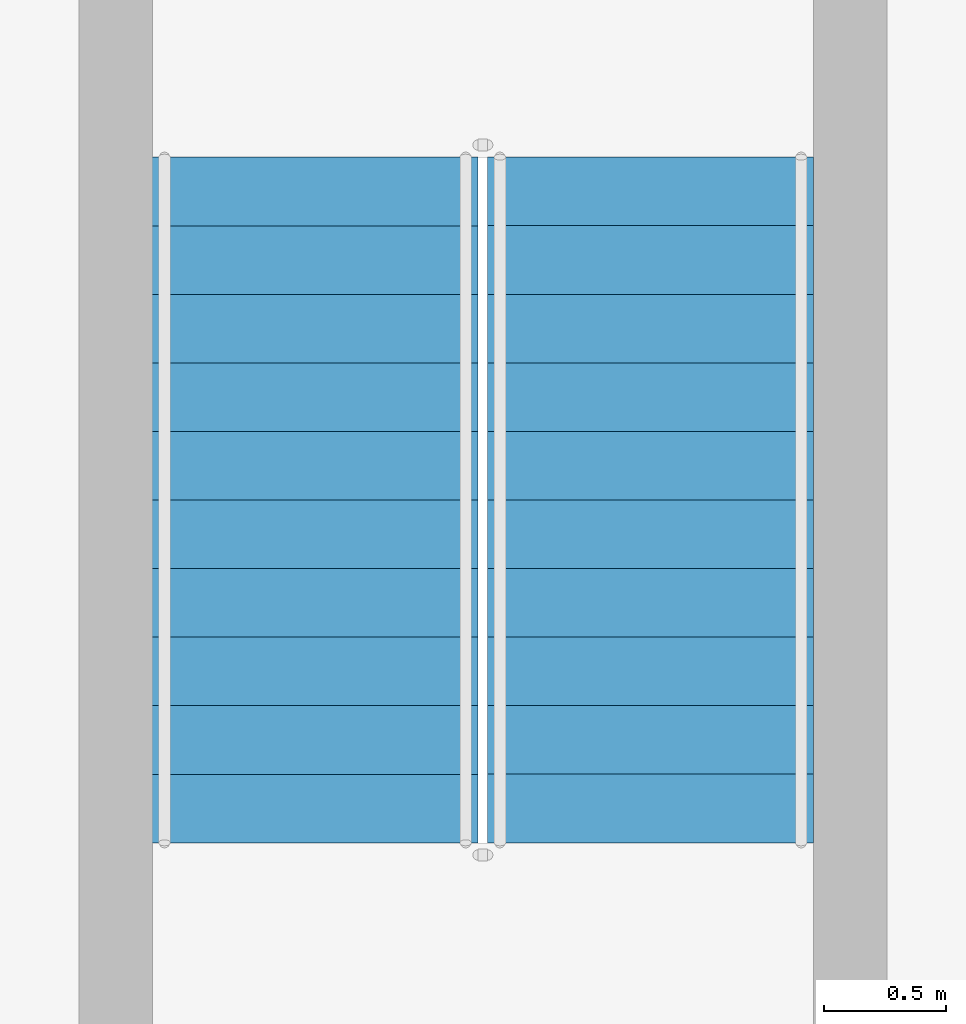
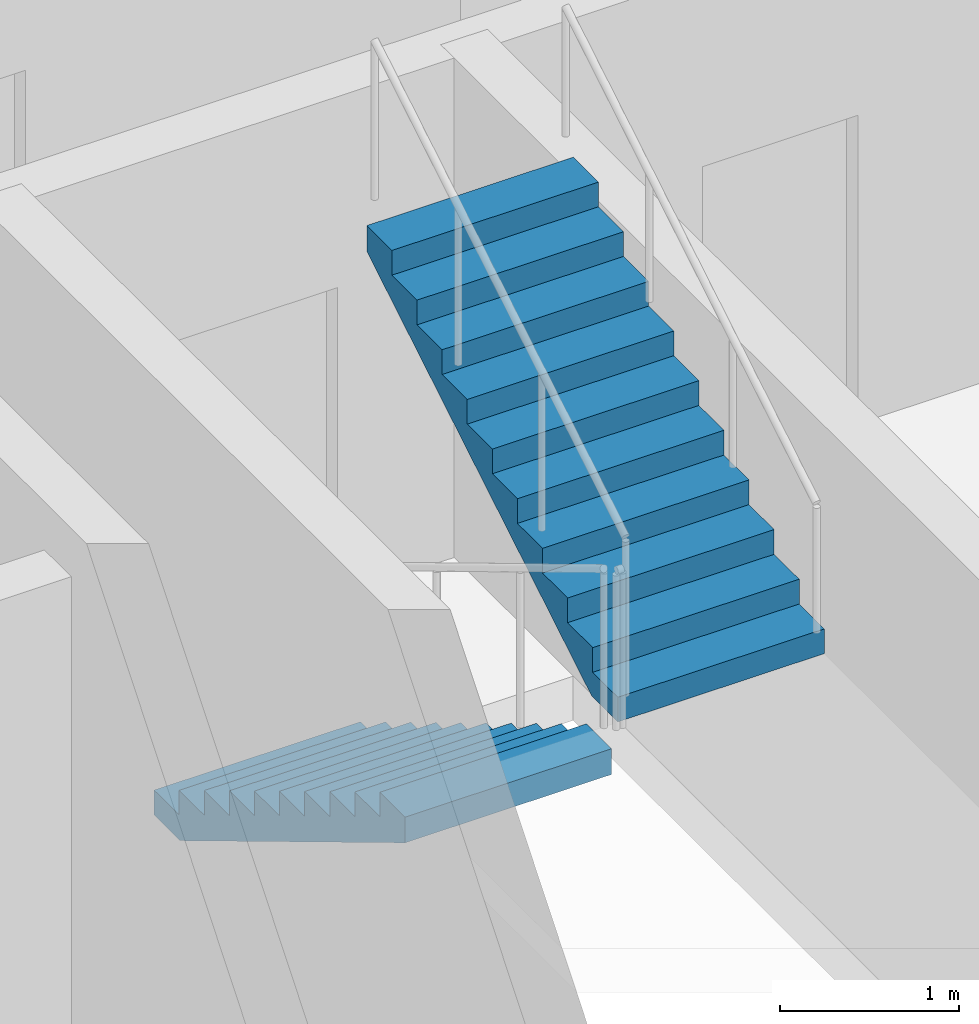
# One storey, part 15 of 25: 2 stair flights, 1 element without a shape of its own.
"""IFC4 building model written with IfcOpenShell, lengths in metres."""

from ifc_helpers import new_model, si_unit, direction, frame, origin, place, context, subcontext, project, spatial, triangles, source, transform, mapped, material, type_object, element, aggregate, save


model = new_model("IFC4")

# Units and contexts
model_context = context("Model", 3, precision=1e-05, world=origin(), true_north=direction((0.0, 1.0)))
body_context = subcontext(model_context, "Body", "Model", "MODEL_VIEW")
ifc_project = project(units=[si_unit("LENGTHUNIT", "METRE"), si_unit("AREAUNIT", "SQUARE_METRE"), si_unit("VOLUMEUNIT", "CUBIC_METRE"), si_unit("PLANEANGLEUNIT", "RADIAN"), si_unit("MASSUNIT", "GRAM", prefix="KILO")], contexts=[model_context])

# Site, building, storey
site_placement = place(None, origin())
site = spatial("IfcSite", under=ifc_project, at=site_placement, CompositionType="ELEMENT")
building_placement = place(site_placement, origin())
building = spatial("IfcBuilding", under=site, at=building_placement, Name="Ogive Portal Towers", CompositionType="ELEMENT")
storey_placement = place(building_placement, frame((0.0, 0.0, 105.60009765625)))
storey = spatial("IfcBuildingStorey", under=building, at=storey_placement, Name="L25", CompositionType="ELEMENT", Elevation=105.60009765625)

# Stair, stair flights
ifc_material = material(Name="Concrete C40/50", Category="concrete")
stair_type = type_object("IfcStairType", Name="INT-STAIR", PredefinedType="HALF_TURN_STAIR", material=ifc_material)
stair_placement = place(storey_placement, origin())
stair = element("IfcStair", 1, at=stair_placement, inside=storey, type_object=stair_type, Name="L25 Exit Stair ST-A4", PredefinedType="HALF_TURN_STAIR")
stair_flight_type = type_object("IfcStairFlightType", Name="INT-FLIGHT", PredefinedType="STRAIGHT", material=ifc_material)
shared_shape = source(origin(), body_context, "Body", "Tessellation", [
    triangles([(0.0, -0.6650390625, 0.0), (0.0, -0.384765625, 0.0), (0.0, -0.197021484375, 0.0), (0.0, -0.0830078125, 0.0), (0.0, -0.024658203125, 0.0), (0.0, -0.003173828125, 0.0), (0.0, 0.0, 0.0), (0.0, 0.003173828125, 0.0), (0.0, 0.024658203125, 0.0), (0.0, 0.0830078125, 0.0), (0.0, 0.197021484375, 0.0), (0.0, 0.384765625, 0.0), (0.0, 0.6650390625, 0.0), (0.0, -0.6650390625, 0.168212890625), (0.0, -0.384765625, 0.168212890625), (0.0, -0.197021484375, 0.168212890625), (0.0, -0.0830078125, 0.168212890625), (0.0, -0.024658203125, 0.168212890625), (0.0, -0.003173828125, 0.168212890625), (0.0, 0.0, 0.168212890625), (0.0, 0.003173828125, 0.168212890625), (0.0, 0.024658203125, 0.168212890625), (0.0, 0.0830078125, 0.168212890625), (0.0, 0.197021484375, 0.168212890625), (0.0, 0.384765625, 0.168212890625), (0.0, 0.6650390625, 0.168212890625), (0.280029296875, -0.6650390625, 0.168212890625), (0.280029296875, -0.384765625, 0.168212890625), (0.280029296875, -0.197021484375, 0.168212890625), (0.280029296875, -0.0830078125, 0.168212890625), (0.280029296875, -0.024658203125, 0.168212890625), (0.280029296875, -0.003173828125, 0.168212890625), (0.280029296875, 0.0, 0.168212890625), (0.280029296875, 0.003173828125, 0.168212890625), (0.280029296875, 0.024658203125, 0.168212890625), (0.280029296875, 0.0830078125, 0.168212890625), (0.280029296875, 0.197021484375, 0.168212890625), (0.280029296875, 0.384765625, 0.168212890625), (0.280029296875, 0.6650390625, 0.168212890625), (0.280029296875, -0.6650390625, 0.33642578125), (0.280029296875, -0.384765625, 0.33642578125), (0.280029296875, -0.197021484375, 0.33642578125), (0.280029296875, -0.0830078125, 0.33642578125), (0.280029296875, -0.024658203125, 0.33642578125), (0.280029296875, -0.003173828125, 0.33642578125), (0.280029296875, 0.0, 0.33642578125), (0.280029296875, 0.003173828125, 0.33642578125), (0.280029296875, 0.024658203125, 0.33642578125), (0.280029296875, 0.0830078125, 0.33642578125), (0.280029296875, 0.197021484375, 0.33642578125), (0.280029296875, 0.384765625, 0.33642578125), (0.280029296875, 0.6650390625, 0.33642578125), (0.56005859375, -0.6650390625, 0.33642578125), (0.56005859375, -0.384765625, 0.33642578125), (0.56005859375, -0.197021484375, 0.33642578125), (0.56005859375, -0.0830078125, 0.33642578125), (0.56005859375, -0.024658203125, 0.33642578125), (0.56005859375, -0.003173828125, 0.33642578125), (0.56005859375, 0.0, 0.33642578125), (0.56005859375, 0.003173828125, 0.33642578125), (0.56005859375, 0.024658203125, 0.33642578125), (0.56005859375, 0.0830078125, 0.33642578125), (0.56005859375, 0.197021484375, 0.33642578125), (0.56005859375, 0.384765625, 0.33642578125), (0.56005859375, 0.6650390625, 0.33642578125), (0.56005859375, -0.6650390625, 0.504638671875), (0.56005859375, -0.384765625, 0.504638671875), (0.56005859375, -0.197021484375, 0.504638671875), (0.56005859375, -0.0830078125, 0.504638671875), (0.56005859375, -0.024658203125, 0.504638671875), (0.56005859375, -0.003173828125, 0.504638671875), (0.56005859375, 0.0, 0.504638671875), (0.56005859375, 0.003173828125, 0.504638671875), (0.56005859375, 0.024658203125, 0.504638671875), (0.56005859375, 0.0830078125, 0.504638671875), (0.56005859375, 0.197021484375, 0.504638671875), (0.56005859375, 0.384765625, 0.504638671875), (0.56005859375, 0.6650390625, 0.504638671875), (0.840087890625, -0.6650390625, 0.504638671875), (0.840087890625, -0.384765625, 0.504638671875), (0.840087890625, -0.197021484375, 0.504638671875), (0.840087890625, -0.0830078125, 0.504638671875), (0.840087890625, -0.024658203125, 0.504638671875), (0.840087890625, -0.003173828125, 0.504638671875), (0.840087890625, 0.0, 0.504638671875), (0.840087890625, 0.003173828125, 0.504638671875), (0.840087890625, 0.024658203125, 0.504638671875), (0.840087890625, 0.0830078125, 0.504638671875), (0.840087890625, 0.197021484375, 0.504638671875), (0.840087890625, 0.384765625, 0.504638671875), (0.840087890625, 0.6650390625, 0.504638671875), (0.840087890625, -0.6650390625, 0.672607421875), (0.840087890625, -0.384765625, 0.672607421875), (0.840087890625, -0.197021484375, 0.672607421875), (0.840087890625, -0.0830078125, 0.672607421875), (0.840087890625, -0.024658203125, 0.672607421875), (0.840087890625, -0.003173828125, 0.672607421875), (0.840087890625, 0.0, 0.672607421875), (0.840087890625, 0.003173828125, 0.672607421875), (0.840087890625, 0.024658203125, 0.672607421875), (0.840087890625, 0.0830078125, 0.672607421875), (0.840087890625, 0.197021484375, 0.672607421875), (0.840087890625, 0.384765625, 0.672607421875), (0.840087890625, 0.6650390625, 0.672607421875), (1.1201171875, -0.6650390625, 0.672607421875), (1.1201171875, -0.384765625, 0.672607421875), (1.1201171875, -0.197021484375, 0.672607421875), (1.1201171875, -0.0830078125, 0.672607421875), (1.1201171875, -0.024658203125, 0.672607421875), (1.1201171875, -0.003173828125, 0.672607421875), (1.1201171875, 0.0, 0.672607421875), (1.1201171875, 0.003173828125, 0.672607421875), (1.1201171875, 0.024658203125, 0.672607421875), (1.1201171875, 0.0830078125, 0.672607421875), (1.1201171875, 0.197021484375, 0.672607421875), (1.1201171875, 0.384765625, 0.672607421875), (1.1201171875, 0.6650390625, 0.672607421875), (1.1201171875, -0.6650390625, 0.8408203125), (1.1201171875, -0.384765625, 0.8408203125), (1.1201171875, -0.197021484375, 0.8408203125), (1.1201171875, -0.0830078125, 0.8408203125), (1.1201171875, -0.024658203125, 0.8408203125), (1.1201171875, -0.003173828125, 0.8408203125), (1.1201171875, 0.0, 0.8408203125), (1.1201171875, 0.003173828125, 0.8408203125), (1.1201171875, 0.024658203125, 0.8408203125), (1.1201171875, 0.0830078125, 0.8408203125), (1.1201171875, 0.197021484375, 0.8408203125), (1.1201171875, 0.384765625, 0.8408203125), (1.1201171875, 0.6650390625, 0.8408203125), (1.39990234375, -0.6650390625, 0.8408203125), (1.39990234375, -0.384765625, 0.8408203125), (1.39990234375, -0.197021484375, 0.8408203125), (1.39990234375, -0.0830078125, 0.8408203125), (1.39990234375, -0.024658203125, 0.8408203125), (1.39990234375, -0.003173828125, 0.8408203125), (1.39990234375, 0.0, 0.8408203125), (1.39990234375, 0.003173828125, 0.8408203125), (1.39990234375, 0.024658203125, 0.8408203125), (1.39990234375, 0.0830078125, 0.8408203125), (1.39990234375, 0.197021484375, 0.8408203125), (1.39990234375, 0.384765625, 0.8408203125), (1.39990234375, 0.6650390625, 0.8408203125), (1.39990234375, -0.6650390625, 1.009033203125), (1.39990234375, -0.384765625, 1.009033203125), (1.39990234375, -0.197021484375, 1.009033203125), (1.39990234375, -0.0830078125, 1.009033203125), (1.39990234375, -0.024658203125, 1.009033203125), (1.39990234375, -0.003173828125, 1.009033203125), (1.39990234375, 0.0, 1.009033203125), (1.39990234375, 0.003173828125, 1.009033203125), (1.39990234375, 0.024658203125, 1.009033203125), (1.39990234375, 0.0830078125, 1.009033203125), (1.39990234375, 0.197021484375, 1.009033203125), (1.39990234375, 0.384765625, 1.009033203125), (1.39990234375, 0.6650390625, 1.009033203125), (1.679931640625, -0.6650390625, 1.009033203125), (1.679931640625, -0.384765625, 1.009033203125), (1.679931640625, -0.197021484375, 1.009033203125), (1.679931640625, -0.0830078125, 1.009033203125), (1.679931640625, -0.024658203125, 1.009033203125), (1.679931640625, -0.003173828125, 1.009033203125), (1.679931640625, 0.0, 1.009033203125), (1.679931640625, 0.003173828125, 1.009033203125), (1.679931640625, 0.024658203125, 1.009033203125), (1.679931640625, 0.0830078125, 1.009033203125), (1.679931640625, 0.197021484375, 1.009033203125), (1.679931640625, 0.384765625, 1.009033203125), (1.679931640625, 0.6650390625, 1.009033203125), (1.679931640625, -0.6650390625, 1.17724609375), (1.679931640625, -0.384765625, 1.17724609375), (1.679931640625, -0.197021484375, 1.17724609375), (1.679931640625, -0.0830078125, 1.17724609375), (1.679931640625, -0.024658203125, 1.17724609375), (1.679931640625, -0.003173828125, 1.17724609375), (1.679931640625, 0.0, 1.17724609375), (1.679931640625, 0.003173828125, 1.17724609375), (1.679931640625, 0.024658203125, 1.17724609375), (1.679931640625, 0.0830078125, 1.17724609375), (1.679931640625, 0.197021484375, 1.17724609375), (1.679931640625, 0.384765625, 1.17724609375), (1.679931640625, 0.6650390625, 1.17724609375), (1.9599609375, -0.6650390625, 1.17724609375), (1.9599609375, -0.384765625, 1.17724609375), (1.9599609375, -0.197021484375, 1.17724609375), (1.9599609375, -0.0830078125, 1.17724609375), (1.9599609375, -0.024658203125, 1.17724609375), (1.9599609375, -0.003173828125, 1.17724609375), (1.9599609375, 0.0, 1.17724609375), (1.9599609375, 0.003173828125, 1.17724609375), (1.9599609375, 0.024658203125, 1.17724609375), (1.9599609375, 0.0830078125, 1.17724609375), (1.9599609375, 0.197021484375, 1.17724609375), (1.9599609375, 0.384765625, 1.17724609375), (1.9599609375, 0.6650390625, 1.17724609375), (1.9599609375, -0.6650390625, 1.345458984375), (1.9599609375, -0.384765625, 1.345458984375), (1.9599609375, -0.197021484375, 1.345458984375), (1.9599609375, -0.0830078125, 1.345458984375), (1.9599609375, -0.024658203125, 1.345458984375), (1.9599609375, -0.003173828125, 1.345458984375), (1.9599609375, 0.0, 1.345458984375), (1.9599609375, 0.003173828125, 1.345458984375), (1.9599609375, 0.024658203125, 1.345458984375), (1.9599609375, 0.0830078125, 1.345458984375), (1.9599609375, 0.197021484375, 1.345458984375), (1.9599609375, 0.384765625, 1.345458984375), (1.9599609375, 0.6650390625, 1.345458984375), (2.239990234375, -0.6650390625, 1.345458984375), (2.239990234375, -0.384765625, 1.345458984375), (2.239990234375, -0.197021484375, 1.345458984375), (2.239990234375, -0.0830078125, 1.345458984375), (2.239990234375, -0.024658203125, 1.345458984375), (2.239990234375, -0.003173828125, 1.345458984375), (2.239990234375, 0.0, 1.345458984375), (2.239990234375, 0.003173828125, 1.345458984375), (2.239990234375, 0.024658203125, 1.345458984375), (2.239990234375, 0.0830078125, 1.345458984375), (2.239990234375, 0.197021484375, 1.345458984375), (2.239990234375, 0.384765625, 1.345458984375), (2.239990234375, 0.6650390625, 1.345458984375), (2.239990234375, -0.6650390625, 1.513671875), (2.239990234375, -0.384765625, 1.513671875), (2.239990234375, -0.197021484375, 1.513671875), (2.239990234375, -0.0830078125, 1.513671875), (2.239990234375, -0.024658203125, 1.513671875), (2.239990234375, -0.003173828125, 1.513671875), (2.239990234375, 0.0, 1.513671875), (2.239990234375, 0.003173828125, 1.513671875), (2.239990234375, 0.024658203125, 1.513671875), (2.239990234375, 0.0830078125, 1.513671875), (2.239990234375, 0.197021484375, 1.513671875), (2.239990234375, 0.384765625, 1.513671875), (2.239990234375, 0.6650390625, 1.513671875), (2.52001953125, -0.6650390625, 1.513671875), (2.52001953125, -0.384765625, 1.513671875), (2.52001953125, -0.197021484375, 1.513671875), (2.52001953125, -0.0830078125, 1.513671875), (2.52001953125, -0.024658203125, 1.513671875), (2.52001953125, -0.003173828125, 1.513671875), (2.52001953125, 0.0, 1.513671875), (2.52001953125, 0.003173828125, 1.513671875), (2.52001953125, 0.024658203125, 1.513671875), (2.52001953125, 0.0830078125, 1.513671875), (2.52001953125, 0.197021484375, 1.513671875), (2.52001953125, 0.384765625, 1.513671875), (2.52001953125, 0.6650390625, 1.513671875), (2.52001953125, -0.6650390625, 1.681884765625), (2.52001953125, -0.384765625, 1.681884765625), (2.52001953125, -0.197021484375, 1.681884765625), (2.52001953125, -0.0830078125, 1.681884765625), (2.52001953125, -0.024658203125, 1.681884765625), (2.52001953125, -0.003173828125, 1.681884765625), (2.52001953125, 0.0, 1.681884765625), (2.52001953125, 0.003173828125, 1.681884765625), (2.52001953125, 0.024658203125, 1.681884765625), (2.52001953125, 0.0830078125, 1.681884765625), (2.52001953125, 0.197021484375, 1.681884765625), (2.52001953125, 0.384765625, 1.681884765625), (2.52001953125, 0.6650390625, 1.681884765625), (2.800048828125, -0.6650390625, 1.681884765625), (2.800048828125, -0.384765625, 1.681884765625), (2.800048828125, -0.197021484375, 1.681884765625), (2.800048828125, -0.0830078125, 1.681884765625), (2.800048828125, -0.024658203125, 1.681884765625), (2.800048828125, -0.003173828125, 1.681884765625), (2.800048828125, 0.0, 1.681884765625), (2.800048828125, 0.003173828125, 1.681884765625), (2.800048828125, 0.024658203125, 1.681884765625), (2.800048828125, 0.0830078125, 1.681884765625), (2.800048828125, 0.197021484375, 1.681884765625), (2.800048828125, 0.384765625, 1.681884765625), (2.800048828125, 0.6650390625, 1.681884765625), (2.800048828125, -0.6650390625, 1.5068359375), (2.800048828125, -0.384765625, 1.5068359375), (2.800048828125, -0.197021484375, 1.5068359375), (2.800048828125, -0.0830078125, 1.5068359375), (2.800048828125, -0.024658203125, 1.5068359375), (2.800048828125, -0.003173828125, 1.5068359375), (2.800048828125, 0.0, 1.5068359375), (2.800048828125, 0.003173828125, 1.5068359375), (2.800048828125, 0.024658203125, 1.5068359375), (2.800048828125, 0.0830078125, 1.5068359375), (2.800048828125, 0.197021484375, 1.5068359375), (2.800048828125, 0.384765625, 1.5068359375), (2.800048828125, 0.6650390625, 1.5068359375), (0.291015625, -0.6650390625, 0.0), (0.291015625, -0.384765625, 0.0), (0.291015625, -0.197021484375, 0.0), (0.291015625, -0.0830078125, 0.0), (0.291015625, -0.024658203125, 0.0), (0.291015625, -0.003173828125, 0.0), (0.291015625, 0.0, 0.0), (0.291015625, 0.003173828125, 0.0), (0.291015625, 0.024658203125, 0.0), (0.291015625, 0.0830078125, 0.0), (0.291015625, 0.197021484375, 0.0), (0.291015625, 0.384765625, 0.0), (0.291015625, 0.6650390625, 0.0)], [[1, 14, 15], [1, 15, 2], [2, 15, 16], [2, 16, 3], [3, 16, 17], [3, 17, 4], [4, 17, 18], [4, 18, 5], [5, 18, 19], [5, 19, 6], [6, 19, 20], [6, 20, 7], [7, 20, 21], [7, 21, 8], [8, 21, 22], [8, 22, 9], [9, 22, 23], [9, 23, 10], [10, 23, 24], [10, 24, 11], [11, 24, 25], [11, 25, 12], [12, 25, 26], [12, 26, 13], [14, 27, 28], [14, 28, 15], [15, 28, 29], [15, 29, 16], [16, 29, 30], [16, 30, 17], [17, 30, 31], [17, 31, 18], [18, 31, 32], [18, 32, 19], [19, 32, 33], [19, 33, 20], [20, 33, 34], [20, 34, 21], [21, 34, 35], [21, 35, 22], [22, 35, 36], [22, 36, 23], [23, 36, 37], [23, 37, 24], [24, 37, 38], [24, 38, 25], [25, 38, 39], [25, 39, 26], [27, 40, 41], [27, 41, 28], [28, 41, 42], [28, 42, 29], [29, 42, 43], [29, 43, 30], [30, 43, 44], [30, 44, 31], [31, 44, 45], [31, 45, 32], [32, 45, 46], [32, 46, 33], [33, 46, 47], [33, 47, 34], [34, 47, 48], [34, 48, 35], [35, 48, 49], [35, 49, 36], [36, 49, 50], [36, 50, 37], [37, 50, 51], [37, 51, 38], [38, 51, 52], [38, 52, 39], [40, 53, 54], [40, 54, 41], [41, 54, 55], [41, 55, 42], [42, 55, 56], [42, 56, 43], [43, 56, 57], [43, 57, 44], [44, 57, 58], [44, 58, 45], [45, 58, 59], [45, 59, 46], [46, 59, 60], [46, 60, 47], [47, 60, 61], [47, 61, 48], [48, 61, 62], [48, 62, 49], [49, 62, 63], [49, 63, 50], [50, 63, 64], [50, 64, 51], [51, 64, 65], [51, 65, 52], [53, 66, 67], [53, 67, 54], [54, 67, 68], [54, 68, 55], [55, 68, 69], [55, 69, 56], [56, 69, 70], [56, 70, 57], [57, 70, 71], [57, 71, 58], [58, 71, 72], [58, 72, 59], [59, 72, 73], [59, 73, 60], [60, 73, 74], [60, 74, 61], [61, 74, 75], [61, 75, 62], [62, 75, 76], [62, 76, 63], [63, 76, 77], [63, 77, 64], [64, 77, 78], [64, 78, 65], [66, 79, 80], [66, 80, 67], [67, 80, 81], [67, 81, 68], [68, 81, 82], [68, 82, 69], [69, 82, 83], [69, 83, 70], [70, 83, 84], [70, 84, 71], [71, 84, 85], [71, 85, 72], [72, 85, 86], [72, 86, 73], [73, 86, 87], [73, 87, 74], [74, 87, 88], [74, 88, 75], [75, 88, 89], [75, 89, 76], [76, 89, 90], [76, 90, 77], [77, 90, 91], [77, 91, 78], [79, 92, 93], [79, 93, 80], [80, 93, 94], [80, 94, 81], [81, 94, 95], [81, 95, 82], [82, 95, 96], [82, 96, 83], [83, 96, 97], [83, 97, 84], [84, 97, 98], [84, 98, 85], [85, 98, 99], [85, 99, 86], [86, 99, 100], [86, 100, 87], [87, 100, 101], [87, 101, 88], [88, 101, 102], [88, 102, 89], [89, 102, 103], [89, 103, 90], [90, 103, 104], [90, 104, 91], [92, 105, 106], [92, 106, 93], [93, 106, 107], [93, 107, 94], [94, 107, 108], [94, 108, 95], [95, 108, 109], [95, 109, 96], [96, 109, 110], [96, 110, 97], [97, 110, 111], [97, 111, 98], [98, 111, 112], [98, 112, 99], [99, 112, 113], [99, 113, 100], [100, 113, 114], [100, 114, 101], [101, 114, 115], [101, 115, 102], [102, 115, 116], [102, 116, 103], [103, 116, 117], [103, 117, 104], [105, 118, 119], [105, 119, 106], [106, 119, 120], [106, 120, 107], [107, 120, 121], [107, 121, 108], [108, 121, 122], [108, 122, 109], [109, 122, 123], [109, 123, 110], [110, 123, 124], [110, 124, 111], [111, 124, 125], [111, 125, 112], [112, 125, 126], [112, 126, 113], [113, 126, 127], [113, 127, 114], [114, 127, 128], [114, 128, 115], [115, 128, 129], [115, 129, 116], [116, 129, 130], [116, 130, 117], [118, 131, 132], [118, 132, 119], [119, 132, 133], [119, 133, 120], [120, 133, 134], [120, 134, 121], [121, 134, 135], [121, 135, 122], [122, 135, 136], [122, 136, 123], [123, 136, 137], [123, 137, 124], [124, 137, 138], [124, 138, 125], [125, 138, 139], [125, 139, 126], [126, 139, 140], [126, 140, 127], [127, 140, 141], [127, 141, 128], [128, 141, 142], [128, 142, 129], [129, 142, 143], [129, 143, 130], [131, 144, 145], [131, 145, 132], [132, 145, 146], [132, 146, 133], [133, 146, 147], [133, 147, 134], [134, 147, 148], [134, 148, 135], [135, 148, 149], [135, 149, 136], [136, 149, 150], [136, 150, 137], [137, 150, 151], [137, 151, 138], [138, 151, 152], [138, 152, 139], [139, 152, 153], [139, 153, 140], [140, 153, 154], [140, 154, 141], [141, 154, 155], [141, 155, 142], [142, 155, 156], [142, 156, 143], [144, 157, 158], [144, 158, 145], [145, 158, 159], [145, 159, 146], [146, 159, 160], [146, 160, 147], [147, 160, 161], [147, 161, 148], [148, 161, 162], [148, 162, 149], [149, 162, 163], [149, 163, 150], [150, 163, 164], [150, 164, 151], [151, 164, 165], [151, 165, 152], [152, 165, 166], [152, 166, 153], [153, 166, 167], [153, 167, 154], [154, 167, 168], [154, 168, 155], [155, 168, 169], [155, 169, 156], [157, 170, 171], [157, 171, 158], [158, 171, 172], [158, 172, 159], [159, 172, 173], [159, 173, 160], [160, 173, 174], [160, 174, 161], [161, 174, 175], [161, 175, 162], [162, 175, 176], [162, 176, 163], [163, 176, 177], [163, 177, 164], [164, 177, 178], [164, 178, 165], [165, 178, 179], [165, 179, 166], [166, 179, 180], [166, 180, 167], [167, 180, 181], [167, 181, 168], [168, 181, 182], [168, 182, 169], [170, 183, 184], [170, 184, 171], [171, 184, 185], [171, 185, 172], [172, 185, 186], [172, 186, 173], [173, 186, 187], [173, 187, 174], [174, 187, 188], [174, 188, 175], [175, 188, 189], [175, 189, 176], [176, 189, 190], [176, 190, 177], [177, 190, 191], [177, 191, 178], [178, 191, 192], [178, 192, 179], [179, 192, 193], [179, 193, 180], [180, 193, 194], [180, 194, 181], [181, 194, 195], [181, 195, 182], [183, 196, 197], [183, 197, 184], [184, 197, 198], [184, 198, 185], [185, 198, 199], [185, 199, 186], [186, 199, 200], [186, 200, 187], [187, 200, 201], [187, 201, 188], [188, 201, 202], [188, 202, 189], [189, 202, 203], [189, 203, 190], [190, 203, 204], [190, 204, 191], [191, 204, 205], [191, 205, 192], [192, 205, 206], [192, 206, 193], [193, 206, 207], [193, 207, 194], [194, 207, 208], [194, 208, 195], [196, 209, 210], [196, 210, 197], [197, 210, 211], [197, 211, 198], [198, 211, 212], [198, 212, 199], [199, 212, 213], [199, 213, 200], [200, 213, 214], [200, 214, 201], [201, 214, 215], [201, 215, 202], [202, 215, 216], [202, 216, 203], [203, 216, 217], [203, 217, 204], [204, 217, 218], [204, 218, 205], [205, 218, 219], [205, 219, 206], [206, 219, 220], [206, 220, 207], [207, 220, 221], [207, 221, 208], [209, 222, 223], [209, 223, 210], [210, 223, 224], [210, 224, 211], [211, 224, 225], [211, 225, 212], [212, 225, 226], [212, 226, 213], [213, 226, 227], [213, 227, 214], [214, 227, 228], [214, 228, 215], [215, 228, 229], [215, 229, 216], [216, 229, 230], [216, 230, 217], [217, 230, 231], [217, 231, 218], [218, 231, 232], [218, 232, 219], [219, 232, 233], [219, 233, 220], [220, 233, 234], [220, 234, 221], [222, 235, 236], [222, 236, 223], [223, 236, 237], [223, 237, 224], [224, 237, 238], [224, 238, 225], [225, 238, 239], [225, 239, 226], [226, 239, 240], [226, 240, 227], [227, 240, 241], [227, 241, 228], [228, 241, 242], [228, 242, 229], [229, 242, 243], [229, 243, 230], [230, 243, 244], [230, 244, 231], [231, 244, 245], [231, 245, 232], [232, 245, 246], [232, 246, 233], [233, 246, 247], [233, 247, 234], [235, 248, 249], [235, 249, 236], [236, 249, 250], [236, 250, 237], [237, 250, 251], [237, 251, 238], [238, 251, 252], [238, 252, 239], [239, 252, 253], [239, 253, 240], [240, 253, 254], [240, 254, 241], [241, 254, 255], [241, 255, 242], [242, 255, 256], [242, 256, 243], [243, 256, 257], [243, 257, 244], [244, 257, 258], [244, 258, 245], [245, 258, 259], [245, 259, 246], [246, 259, 260], [246, 260, 247], [248, 261, 262], [248, 262, 249], [249, 262, 263], [249, 263, 250], [250, 263, 264], [250, 264, 251], [251, 264, 265], [251, 265, 252], [252, 265, 266], [252, 266, 253], [253, 266, 267], [253, 267, 254], [254, 267, 268], [254, 268, 255], [255, 268, 269], [255, 269, 256], [256, 269, 270], [256, 270, 257], [257, 270, 271], [257, 271, 258], [258, 271, 272], [258, 272, 259], [259, 272, 273], [259, 273, 260], [261, 274, 275], [261, 275, 262], [262, 275, 276], [262, 276, 263], [263, 276, 277], [263, 277, 264], [264, 277, 278], [264, 278, 265], [265, 278, 279], [265, 279, 266], [266, 279, 280], [266, 280, 267], [267, 280, 281], [267, 281, 268], [268, 281, 282], [268, 282, 269], [269, 282, 283], [269, 283, 270], [270, 283, 284], [270, 284, 271], [271, 284, 285], [271, 285, 272], [272, 285, 286], [272, 286, 273], [274, 287, 288], [274, 288, 275], [275, 288, 289], [275, 289, 276], [276, 289, 290], [276, 290, 277], [277, 290, 291], [277, 291, 278], [278, 291, 292], [278, 292, 279], [279, 292, 293], [279, 293, 280], [280, 293, 294], [280, 294, 281], [281, 294, 295], [281, 295, 282], [282, 295, 296], [282, 296, 283], [283, 296, 297], [283, 297, 284], [284, 297, 298], [284, 298, 285], [285, 298, 299], [285, 299, 286], [287, 1, 2], [287, 2, 288], [288, 2, 3], [288, 3, 289], [289, 3, 4], [289, 4, 290], [290, 4, 5], [290, 5, 291], [291, 5, 6], [291, 6, 292], [292, 6, 7], [292, 7, 293], [293, 7, 8], [293, 8, 294], [294, 8, 9], [294, 9, 295], [295, 9, 10], [295, 10, 296], [296, 10, 11], [296, 11, 297], [297, 11, 12], [297, 12, 298], [298, 12, 13], [298, 13, 299], [1, 287, 274], [13, 286, 299], [274, 261, 248], [286, 260, 273], [274, 248, 235], [286, 247, 260], [274, 235, 222], [286, 234, 247], [274, 222, 209], [286, 221, 234], [209, 196, 183], [221, 195, 208], [274, 209, 183], [286, 195, 221], [183, 170, 157], [195, 169, 182], [274, 183, 157], [286, 169, 195], [157, 144, 131], [169, 143, 156], [274, 157, 131], [286, 143, 169], [131, 118, 105], [143, 117, 130], [274, 131, 105], [286, 117, 143], [1, 274, 105], [13, 117, 286], [105, 92, 79], [117, 91, 104], [79, 66, 53], [91, 65, 78], [105, 79, 53], [117, 65, 91], [53, 40, 27], [65, 39, 52], [105, 53, 27], [117, 39, 65], [1, 105, 27], [13, 39, 117], [27, 14, 1], [39, 13, 26]], closed=True),
])
stair_flight_1_placement = place(storey_placement, frame((87.6650390625, 29.169921875, 0.0), z_axis=(0.0, 0.0, 1.0), x_axis=(0.0, -1.0, 0.0)))
stair_flight_1 = element("IfcStairFlight", 2, at=stair_flight_1_placement, type_object=stair_flight_type, Name="ST-A4 flight 1", NumberOfRisers=11, NumberOfTreads=10, PredefinedType="STRAIGHT", RiserHeight=0.168181818, TreadLength=0.28, context=body_context, shape_type="MappedRepresentation", body=[
    mapped(shared_shape, transform((0.0, 0.0, 0.0), scale=1.0)),
])
stair_flight_2_placement = place(storey_placement, frame((89.034912109375, 26.3701171875, 1.849853515625), z_axis=(0.0, 0.0, 1.0), x_axis=(0.0, 1.0, 0.0)))
stair_flight_2 = element("IfcStairFlight", 3, at=stair_flight_2_placement, type_object=stair_flight_type, Name="ST-A4 flight 2", NumberOfRisers=11, NumberOfTreads=10, PredefinedType="STRAIGHT", RiserHeight=0.168181818, TreadLength=0.28, context=body_context, shape_type="MappedRepresentation", body=[
    mapped(shared_shape, transform((0.0, 0.0, 0.0), scale=1.0)),
])
aggregate(stair, [stair_flight_1, stair_flight_2])

save(model, "model.ifc")
